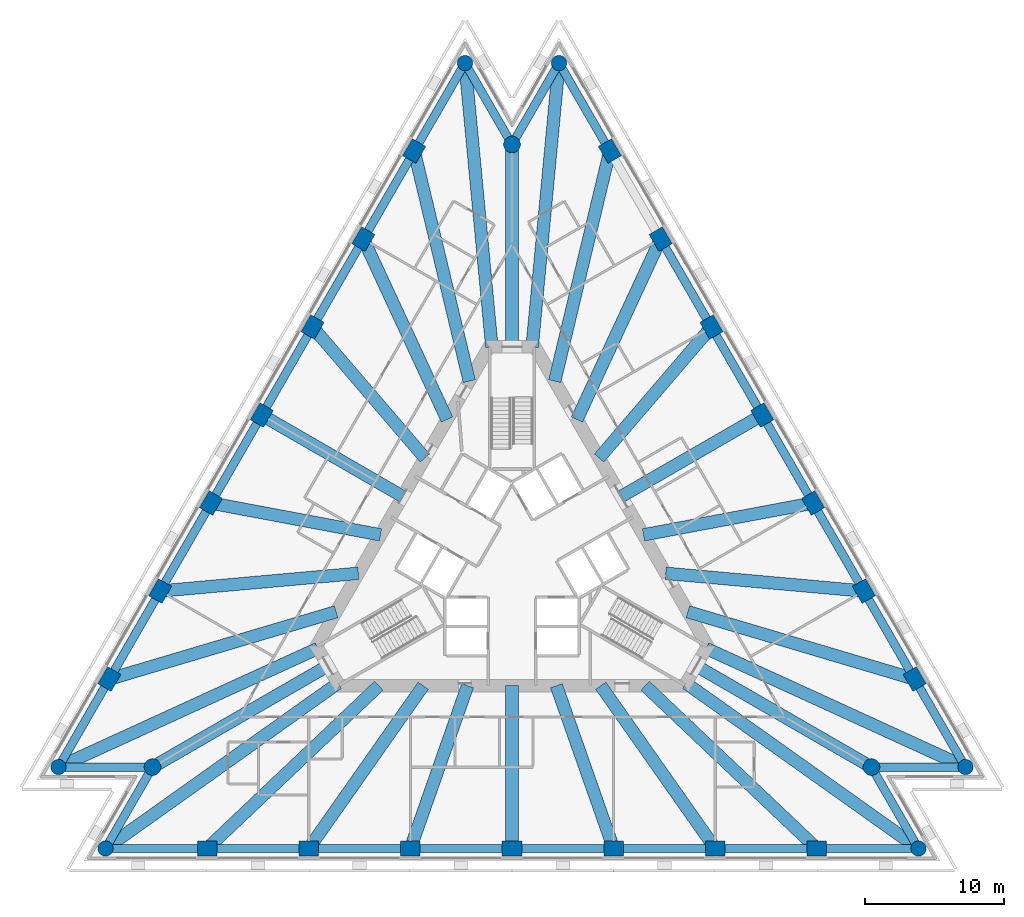
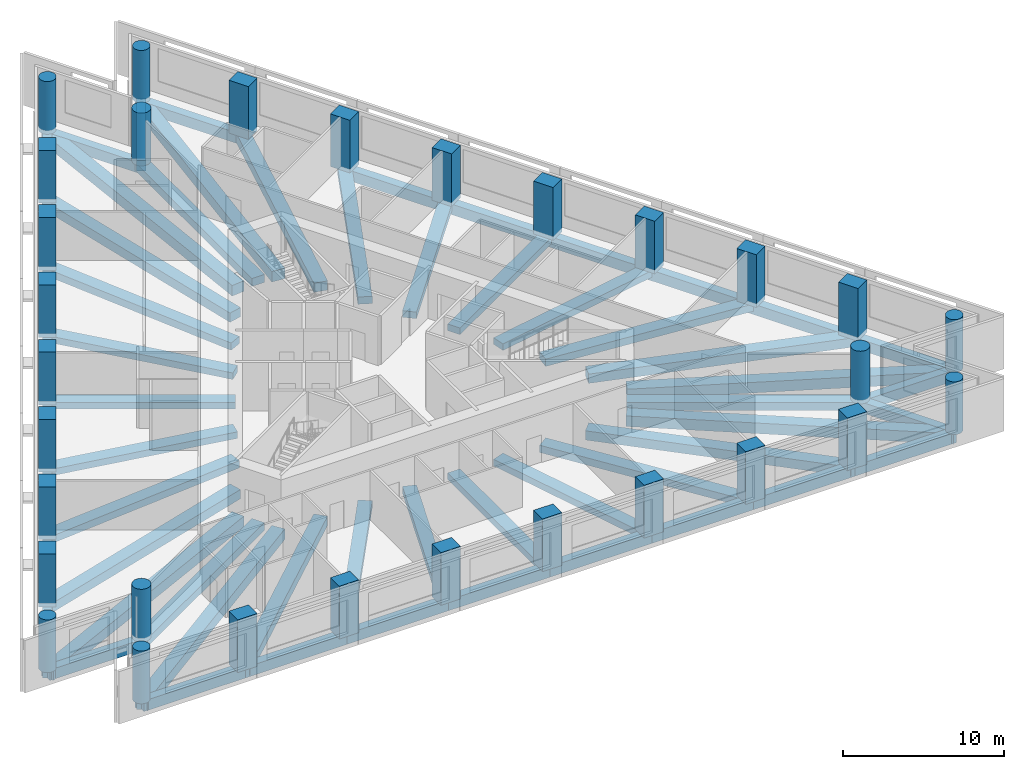
# One storey, part 1 of 11: 59 beams, 30 columns.
"""IFC4 building model written with IfcOpenShell, lengths in metres."""

from ifc_helpers import new_model, si_unit, direction, frame, origin, origin_2d, place, context, subcontext, project, spatial, rectangle, circle, extrude, material, material_profile, profile_set, type_object, element, save


model = new_model("IFC4")

# Units and contexts
model_context = context("Model", 3, precision=1e-05, world=origin(), true_north=direction((0.0, 1.0)))
body_context = subcontext(model_context, "Body", "Model", "MODEL_VIEW")
ifc_project = project(units=[si_unit("LENGTHUNIT", "METRE"), si_unit("AREAUNIT", "SQUARE_METRE"), si_unit("VOLUMEUNIT", "CUBIC_METRE"), si_unit("PLANEANGLEUNIT", "RADIAN"), si_unit("MASSUNIT", "GRAM", prefix="KILO")], contexts=[model_context])

# Site, building, storey
site_placement = place(None, origin())
site = spatial("IfcSite", under=ifc_project, at=site_placement, CompositionType="ELEMENT")
building_placement = place(site_placement, origin())
building = spatial("IfcBuilding", under=site, at=building_placement, Name="Triada Interchange Tower", CompositionType="ELEMENT")
storey_placement = place(building_placement, frame((0.0, 0.0, 71.300048828125)))
storey = spatial("IfcBuildingStorey", under=building, at=storey_placement, Name="L15", CompositionType="ELEMENT", Elevation=71.300048828125)

# Columns
ifc_material_1 = material(Name="Concrete C70/85", Category="concrete")
ifc_material_profile_1 = material_profile(ifc_material_1, rectangle(XDim=1.39990234375, YDim=1.10009765625, at=origin_2d()), Name="RC 1400x1100")
ifc_profile_set_1 = profile_set([ifc_material_profile_1], Name="Concrete C70/85")
column_type_1 = type_object("IfcColumnType", Name="Column A face RC 1400x1100", PredefinedType="COLUMN", material=ifc_profile_set_1)
for number, where, z_axis, x_axis, name in (
    (1, (-7.014892578125, 29.294921875, -0.300048828125), (0.0, 0.0, 1.0), (0.5, 0.866025403784, 0.0), "Column CA02 L15"),
    (2, (-10.657958984375, 22.98388671875, -0.300048828125), (0.0, 0.0, 1.0), (0.5, 0.866025403784, 0.0), "Column CA03 L15"),
    (3, (-14.302001953125, 16.672119140625, -0.300048828125), (0.0, 0.0, 1.0), (0.5, 0.866025403784, 0.0), "Column CA04 L15"),
    (4, (-17.946044921875, 10.361083984375, -0.300048828125), (0.0, 0.0, 1.0), (0.5, 0.866025403784, 0.0), "Column CA05 L15"),
    (5, (-21.590087890625, 4.050048828125, -0.300048828125), (0.0, 0.0, 1.0), (0.5, 0.866025403784, 0.0), "Column CA06 L15"),
    (6, (-25.23388671875, -2.260986328125, -0.300048828125), (0.0, 0.0, 1.0), (0.5, 0.866025403784, 0.0), "Column CA07 L15"),
    (7, (-28.876953125, -8.572998046875, -0.300048828125), (0.0, 0.0, 1.0), (0.5, 0.866025403784, 0.0), "Column CA08 L15"),
    (8, (-21.862060546875, -20.721923828125, -0.300048828125), (0.0, 0.0, 1.0), (1.0, 0.0, 0.0), "Column CA11 L15"),
    (9, (-14.574951171875, -20.721923828125, -0.300048828125), (0.0, 0.0, 1.0), (1.0, 0.0, 0.0), "Column CA12 L15"),
    (10, (-7.2880859375, -20.721923828125, -0.300048828125), (0.0, 0.0, 1.0), (1.0, 0.0, 0.0), "Column CA13 L15"),
    (11, (0.0, -20.721923828125, -0.300048828125), (0.0, 0.0, 1.0), (1.0, 0.0, 0.0), "Column CA14 L15"),
    (12, (7.2880859375, -20.721923828125, -0.300048828125), (0.0, 0.0, 1.0), (1.0, 0.0, 0.0), "Column CA15 L15"),
    (13, (14.574951171875, -20.721923828125, -0.300048828125), (0.0, 0.0, 1.0), (1.0, 0.0, 0.0), "Column CA16 L15"),
    (14, (21.862060546875, -20.721923828125, -0.300048828125), (0.0, 0.0, 1.0), (1.0, 0.0, 0.0), "Column CA17 L15"),
    (15, (28.876953125, -8.572998046875, -0.300048828125), (0.0, 0.0, 1.0), (-0.5, 0.866025403784, 0.0), "Column CA20 L15"),
    (16, (25.23388671875, -2.261962890625, -0.300048828125), (0.0, 0.0, 1.0), (-0.5, 0.866025403784, 0.0), "Column CA21 L15"),
    (17, (21.590087890625, 4.050048828125, -0.300048828125), (0.0, 0.0, 1.0), (-0.5, 0.866025403784, 0.0), "Column CA22 L15"),
    (18, (17.946044921875, 10.361083984375, -0.300048828125), (0.0, 0.0, 1.0), (-0.5, 0.866025403784, 0.0), "Column CA23 L15"),
    (19, (14.302001953125, 16.672119140625, -0.300048828125), (0.0, 0.0, 1.0), (-0.5, 0.866025403784, 0.0), "Column CA24 L15"),
    (20, (10.657958984375, 22.98388671875, -0.300048828125), (0.0, 0.0, 1.0), (-0.5, 0.866025403784, 0.0), "Column CA25 L15"),
    (21, (7.014892578125, 29.294921875, -0.300048828125), (0.0, 0.0, 1.0), (-0.5, 0.866025403784, 0.0), "Column CA26 L15"),
):
    element("IfcColumn", number, at=place(storey_placement, frame(where, z_axis=z_axis, x_axis=x_axis)), inside=storey, type_object=column_type_1, Name=name, PredefinedType="COLUMN", context=body_context, shape_type="SweptSolid", body=[
        extrude(rectangle(XDim=1.39990234375, YDim=1.10009765625, at=origin_2d()), origin(), (0.0, 0.0, 1.0), 4.0),
    ])
ifc_material_profile_2 = material_profile(ifc_material_1, circle(Radius=0.550048828125, at=origin_2d()), Name="RC D1100")
ifc_profile_set_2 = profile_set([ifc_material_profile_2], Name="Concrete C70/85")
column_type_2 = type_object("IfcColumnType", Name="End column A RC D1100", PredefinedType="COLUMN", material=ifc_profile_set_2)
for number, where, z_axis, x_axis, name in (
    (22, (-3.37109375, 35.60595703125, -0.300048828125), (0.0, 0.0, 1.0), (0.5, 0.866025403784, 0.0), "Column CA01 L15"),
    (23, (-32.52099609375, -14.884033203125, -0.300048828125), (0.0, 0.0, 1.0), (0.5, 0.866025403784, 0.0), "Column CA09 L15"),
    (24, (-29.14990234375, -20.721923828125, -0.300048828125), (0.0, 0.0, 1.0), (1.0, 0.0, 0.0), "Column CA10 L15"),
    (25, (29.14990234375, -20.721923828125, -0.300048828125), (0.0, 0.0, 1.0), (1.0, 0.0, 0.0), "Column CA18 L15"),
    (26, (32.52099609375, -14.884033203125, -0.300048828125), (0.0, 0.0, 1.0), (-0.5, 0.866025403784, 0.0), "Column CA19 L15"),
    (27, (3.37109375, 35.60595703125, -0.300048828125), (0.0, 0.0, 1.0), (-0.5, 0.866025403784, 0.0), "Column CA27 L15"),
):
    element("IfcColumn", number, at=place(storey_placement, frame(where, z_axis=z_axis, x_axis=x_axis)), inside=storey, type_object=column_type_2, Name=name, PredefinedType="COLUMN", context=body_context, shape_type="SweptSolid", body=[
        extrude(circle(Radius=0.550048828125, at=origin_2d()), origin(), (0.0, 0.0, 1.0), 4.0),
    ])
ifc_material_profile_3 = material_profile(ifc_material_1, circle(Radius=0.60009765625, at=origin_2d()), Name="RC D1200")
ifc_profile_set_3 = profile_set([ifc_material_profile_3], Name="Concrete C70/85")
column_type_3 = type_object("IfcColumnType", Name="Mega column A RC D1200", PredefinedType="COLUMN", material=ifc_profile_set_3)
for number, where, z_axis, x_axis, name in (
    (28, (0.0, 29.76806640625, -0.300048828125), (0.0, 0.0, 1.0), (1.0, 0.0, 0.0), "Column MA1 L15"),
    (29, (-25.780029296875, -14.884033203125, -0.300048828125), (0.0, 0.0, 1.0), (1.0, 0.0, 0.0), "Column MA2 L15"),
    (30, (25.780029296875, -14.884033203125, -0.300048828125), (0.0, 0.0, 1.0), (1.0, 0.0, 0.0), "Column MA3 L15"),
):
    element("IfcColumn", number, at=place(storey_placement, frame(where, z_axis=z_axis, x_axis=x_axis)), inside=storey, type_object=column_type_3, Name=name, PredefinedType="COLUMN", context=body_context, shape_type="SweptSolid", body=[
        extrude(circle(Radius=0.60009765625, at=origin_2d()), origin(), (0.0, 0.0, 1.0), 4.0),
    ])

# Beams
ifc_material_2 = material(Name="Concrete C50/60", Category="concrete")
ifc_material_profile_4 = material_profile(ifc_material_2, rectangle(XDim=0.89990234375, YDim=0.5, at=origin_2d()), Name="RC 900x500")
ifc_profile_set_4 = profile_set([ifc_material_profile_4], Name="Concrete C50/60")
beam_type_1 = type_object("IfcBeamType", Name="Radial band beam A RC 900x500", PredefinedType="BEAM", material=ifc_profile_set_4)
beam_1_placement = place(storey_placement, frame((-14.302001953125, 16.672119140625, -0.550048828125), z_axis=(0.651088692684, -0.759001656295, 0.0), x_axis=(0.759001656295, 0.651088692684, 0.0)))
element("IfcBeam", 31, at=beam_1_placement, inside=storey, type_object=beam_type_1, Name="Radial band beam BA04 L15", PredefinedType="BEAM", context=body_context, shape_type="SweptSolid", body=[
    extrude(rectangle(XDim=0.89990234375, YDim=0.5, at=origin_2d()), origin(), (0.0, 0.0, 1.0), 12.373046875),
])
beam_2_placement = place(storey_placement, frame((-17.946044921875, 10.361083984375, -0.550048828125), z_axis=(0.866016647085, -0.500015166741, 0.0), x_axis=(0.500015166741, 0.866016647085, 0.0)))
element("IfcBeam", 32, at=beam_2_placement, inside=storey, type_object=beam_type_1, Name="Radial band beam BA05 L15", PredefinedType="BEAM", context=body_context, shape_type="SweptSolid", body=[
    extrude(rectangle(XDim=0.89990234375, YDim=0.5, at=origin_2d()), origin(), (0.0, 0.0, 1.0), 11.672119140625),
])
beam_3_placement = place(storey_placement, frame((-21.590087890625, 4.050048828125, -0.550048828125), z_axis=(0.982860569516, -0.184350483839, 0.0), x_axis=(0.184350483839, 0.982860569516, 0.0)))
element("IfcBeam", 33, at=beam_3_placement, inside=storey, type_object=beam_type_1, Name="Radial band beam BA06 L15", PredefinedType="BEAM", context=body_context, shape_type="SweptSolid", body=[
    extrude(rectangle(XDim=0.89990234375, YDim=0.5, at=origin_2d()), origin(), (0.0, 0.0, 1.0), 12.373291015625),
])
beam_4_placement = place(storey_placement, frame((-7.2880859375, -20.721923828125, -0.550048828125), z_axis=(0.331777446319, 0.943357687261, 0.0), x_axis=(-0.943357687261, 0.331777446319, 0.0)))
element("IfcBeam", 34, at=beam_4_placement, inside=storey, type_object=beam_type_1, Name="Radial band beam BA14 L15", PredefinedType="BEAM", context=body_context, shape_type="SweptSolid", body=[
    extrude(rectangle(XDim=0.89990234375, YDim=0.5, at=origin_2d()), origin(), (0.0, 0.0, 1.0), 12.372802734375),
])
beam_5_placement = place(storey_placement, frame((0.0, -20.721923828125, -0.550048828125), z_axis=(0.0, 1.0, 0.0), x_axis=(-1.0, 0.0, 0.0)))
element("IfcBeam", 35, at=beam_5_placement, inside=storey, type_object=beam_type_1, Name="Radial band beam BA15 L15", PredefinedType="BEAM", context=body_context, shape_type="SweptSolid", body=[
    extrude(rectangle(XDim=0.89990234375, YDim=0.5, at=origin_2d()), origin(), (0.0, 0.0, 1.0), 11.671875),
])
beam_6_placement = place(storey_placement, frame((7.2880859375, -20.721923828125, -0.550048828125), z_axis=(-0.331777446319, 0.943357687261, 0.0), x_axis=(-0.943357687261, -0.331777446319, 0.0)))
element("IfcBeam", 36, at=beam_6_placement, inside=storey, type_object=beam_type_1, Name="Radial band beam BA16 L15", PredefinedType="BEAM", context=body_context, shape_type="SweptSolid", body=[
    extrude(rectangle(XDim=0.89990234375, YDim=0.5, at=origin_2d()), origin(), (0.0, 0.0, 1.0), 12.372802734375),
])
beam_7_placement = place(storey_placement, frame((21.590087890625, 4.050048828125, -0.550048828125), z_axis=(-0.982860569516, -0.184350483839, 0.0), x_axis=(0.184350483839, -0.982860569516, 0.0)))
element("IfcBeam", 37, at=beam_7_placement, inside=storey, type_object=beam_type_1, Name="Radial band beam BA24 L15", PredefinedType="BEAM", context=body_context, shape_type="SweptSolid", body=[
    extrude(rectangle(XDim=0.89990234375, YDim=0.5, at=origin_2d()), origin(), (0.0, 0.0, 1.0), 12.373291015625),
])
beam_8_placement = place(storey_placement, frame((17.946044921875, 10.361083984375, -0.550048828125), z_axis=(-0.866016647085, -0.500015166741, 0.0), x_axis=(0.500015166741, -0.866016647085, 0.0)))
element("IfcBeam", 38, at=beam_8_placement, inside=storey, type_object=beam_type_1, Name="Radial band beam BA25 L15", PredefinedType="BEAM", context=body_context, shape_type="SweptSolid", body=[
    extrude(rectangle(XDim=0.89990234375, YDim=0.5, at=origin_2d()), origin(), (0.0, 0.0, 1.0), 11.672119140625),
])
beam_9_placement = place(storey_placement, frame((14.302001953125, 16.672119140625, -0.550048828125), z_axis=(-0.651088692684, -0.759001656295, 0.0), x_axis=(0.759001656295, -0.651088692684, 0.0)))
element("IfcBeam", 39, at=beam_9_placement, inside=storey, type_object=beam_type_1, Name="Radial band beam BA26 L15", PredefinedType="BEAM", context=body_context, shape_type="SweptSolid", body=[
    extrude(rectangle(XDim=0.89990234375, YDim=0.5, at=origin_2d()), origin(), (0.0, 0.0, 1.0), 12.373046875),
])
ifc_material_profile_5 = material_profile(ifc_material_2, rectangle(XDim=0.89990234375, YDim=0.550048828125, at=origin_2d()), Name="RC 900x550")
ifc_profile_set_5 = profile_set([ifc_material_profile_5], Name="Concrete C50/60")
beam_type_2 = type_object("IfcBeamType", Name="Radial band beam A RC 900x550", PredefinedType="BEAM", material=ifc_profile_set_5)
beam_10_placement = place(storey_placement, frame((-10.657958984375, 22.98388671875, -0.574951171875), z_axis=(0.42067192096, -0.907212838818, 0.0), x_axis=(0.907212838818, 0.42067192096, 0.0)))
element("IfcBeam", 40, at=beam_10_placement, inside=storey, type_object=beam_type_2, Name="Radial band beam BA03 L15", PredefinedType="BEAM", context=body_context, shape_type="SweptSolid", body=[
    extrude(rectangle(XDim=0.89990234375, YDim=0.550048828125, at=origin_2d()), origin(), (0.0, 0.0, 1.0), 14.269775390625),
])
beam_11_placement = place(storey_placement, frame((-25.23388671875, -2.260986328125, -0.574951171875), z_axis=(0.99600766566, 0.089267743034, 0.0), x_axis=(-0.089267743034, 0.99600766566, 0.0)))
element("IfcBeam", 41, at=beam_11_placement, inside=storey, type_object=beam_type_2, Name="Radial band beam BA07 L15", PredefinedType="BEAM", context=body_context, shape_type="SweptSolid", body=[
    extrude(rectangle(XDim=0.89990234375, YDim=0.550048828125, at=origin_2d()), origin(), (0.0, 0.0, 1.0), 14.270751953125),
])
for number, where, z_axis, x_axis, name in (
    (42, (-14.574951171875, -20.721923828125, -0.574951171875), (0.575325573526, 0.817924498011, 0.0), (-0.817924498011, 0.575325573526, 0.0), "Radial band beam BA13 L15"),
    (43, (14.574951171875, -20.721923828125, -0.574951171875), (-0.575325573526, 0.817924498011, 0.0), (-0.817924498011, -0.575325573526, 0.0), "Radial band beam BA17 L15"),
):
    element("IfcBeam", number, at=place(storey_placement, frame(where, z_axis=z_axis, x_axis=x_axis)), inside=storey, type_object=beam_type_2, Name=name, PredefinedType="BEAM", context=body_context, shape_type="SweptSolid", body=[
        extrude(rectangle(XDim=0.89990234375, YDim=0.550048828125, at=origin_2d()), origin(), (0.0, 0.0, 1.0), 14.27001953125),
    ])
for number, where, z_axis, x_axis, name in (
    (44, (25.23388671875, -2.261962890625, -0.574951171875), (-0.996007120299, 0.089273827706, 0.0), (-0.089273827706, -0.996007120299, 0.0), "Radial band beam BA23 L15"),
    (45, (10.657958984375, 22.98388671875, -0.574951171875), (-0.42067192096, -0.907212838818, 0.0), (0.907212838818, -0.42067192096, 0.0), "Radial band beam BA27 L15"),
):
    element("IfcBeam", number, at=place(storey_placement, frame(where, z_axis=z_axis, x_axis=x_axis)), inside=storey, type_object=beam_type_2, Name=name, PredefinedType="BEAM", context=body_context, shape_type="SweptSolid", body=[
        extrude(rectangle(XDim=0.89990234375, YDim=0.550048828125, at=origin_2d()), origin(), (0.0, 0.0, 1.0), 14.269775390625),
    ])
ifc_material_profile_6 = material_profile(ifc_material_2, rectangle(XDim=0.89990234375, YDim=0.60009765625, at=origin_2d()), Name="RC 900x600")
ifc_profile_set_6 = profile_set([ifc_material_profile_6], Name="Concrete C50/60")
beam_type_3 = type_object("IfcBeamType", Name="Radial band beam A RC 900x600", PredefinedType="BEAM", material=ifc_profile_set_6)
for number, where, z_axis, x_axis, name in (
    (46, (-25.780029296875, -14.884033203125, -0.60009765625), (0.866025123534, 0.500000485408, 0.0), (-0.500000485408, 0.866025123534, 0.0), "Radial band beam BA10 L15"),
    (47, (25.780029296875, -14.884033203125, -0.60009765625), (-0.866025123534, 0.500000485408, 0.0), (-0.500000485408, -0.866025123534, 0.0), "Radial band beam BA20 L15"),
    (48, (0.0, 29.76806640625, -0.60009765625), (0.0, -1.0, 0.0), (1.0, 0.0, 0.0), "Radial band beam BA30 L15"),
):
    element("IfcBeam", number, at=place(storey_placement, frame(where, z_axis=z_axis, x_axis=x_axis)), inside=storey, type_object=beam_type_3, Name=name, PredefinedType="BEAM", context=body_context, shape_type="SweptSolid", body=[
        extrude(rectangle(XDim=0.89990234375, YDim=0.60009765625, at=origin_2d()), origin(), (0.0, 0.0, 1.0), 14.51806640625),
    ])
ifc_material_profile_7 = material_profile(ifc_material_2, rectangle(XDim=0.89990234375, YDim=0.699951171875, at=origin_2d()), Name="RC 900x700")
ifc_profile_set_7 = profile_set([ifc_material_profile_7], Name="Concrete C50/60")
beam_type_4 = type_object("IfcBeamType", Name="Radial band beam A RC 900x700", PredefinedType="BEAM", material=ifc_profile_set_7)
beam_12_placement = place(storey_placement, frame((-7.014892578125, 29.294921875, -0.650146484375), z_axis=(0.232895688339, -0.972501721517, 0.0), x_axis=(0.972501721517, 0.232895688339, 0.0)))
element("IfcBeam", 49, at=beam_12_placement, inside=storey, type_object=beam_type_4, Name="Radial band beam BA02 L15", PredefinedType="BEAM", context=body_context, shape_type="SweptSolid", body=[
    extrude(rectangle(XDim=0.89990234375, YDim=0.699951171875, at=origin_2d()), origin(), (0.0, 0.0, 1.0), 16.968505859375),
])
for number, where, z_axis, x_axis, name in (
    (50, (-28.876953125, -8.572998046875, -0.650146484375), (0.958639443618, 0.284623289875, 0.0), (-0.284623289875, 0.958639443618, 0.0), "Radial band beam BA08 L15"),
    (51, (-21.862060546875, -20.721923828125, -0.650146484375), (0.725775700998, 0.68793141507, 0.0), (-0.68793141507, 0.725775700998, 0.0), "Radial band beam BA12 L15"),
    (52, (21.862060546875, -20.721923828125, -0.650146484375), (-0.725775700998, 0.68793141507, 0.0), (-0.68793141507, -0.725775700998, 0.0), "Radial band beam BA18 L15"),
    (53, (28.876953125, -8.572998046875, -0.650146484375), (-0.958639443618, 0.284623289875, 0.0), (-0.284623289875, -0.958639443618, 0.0), "Radial band beam BA22 L15"),
):
    element("IfcBeam", number, at=place(storey_placement, frame(where, z_axis=z_axis, x_axis=x_axis)), inside=storey, type_object=beam_type_4, Name=name, PredefinedType="BEAM", context=body_context, shape_type="SweptSolid", body=[
        extrude(rectangle(XDim=0.89990234375, YDim=0.699951171875, at=origin_2d()), origin(), (0.0, 0.0, 1.0), 16.966552734375),
    ])
beam_13_placement = place(storey_placement, frame((7.014892578125, 29.294921875, -0.650146484375), z_axis=(-0.232895688339, -0.972501721517, 0.0), x_axis=(0.972501721517, -0.232895688339, 0.0)))
element("IfcBeam", 54, at=beam_13_placement, inside=storey, type_object=beam_type_4, Name="Radial band beam BA28 L15", PredefinedType="BEAM", context=body_context, shape_type="SweptSolid", body=[
    extrude(rectangle(XDim=0.89990234375, YDim=0.699951171875, at=origin_2d()), origin(), (0.0, 0.0, 1.0), 16.968505859375),
])
ifc_material_profile_8 = material_profile(ifc_material_2, rectangle(XDim=0.89990234375, YDim=0.800048828125, at=origin_2d()), Name="RC 900x800")
ifc_profile_set_8 = profile_set([ifc_material_profile_8], Name="Concrete C50/60")
beam_type_5 = type_object("IfcBeamType", Name="Radial band beam A RC 900x800", PredefinedType="BEAM", material=ifc_profile_set_8)
beam_14_placement = place(storey_placement, frame((-3.37109375, 35.60595703125, -0.699951171875), z_axis=(0.094243917314, -0.995549136934, 0.0), x_axis=(0.995549136934, 0.094243917314, 0.0)))
element("IfcBeam", 55, at=beam_14_placement, inside=storey, type_object=beam_type_5, Name="Radial band beam BA01 L15", PredefinedType="BEAM", context=body_context, shape_type="SweptSolid", body=[
    extrude(rectangle(XDim=0.89990234375, YDim=0.800048828125, at=origin_2d()), origin(), (0.0, 0.0, 1.0), 20.447021484375),
])
beam_15_placement = place(storey_placement, frame((-32.52099609375, -14.884033203125, -0.699951171875), z_axis=(0.909292889271, 0.416156751143, 0.0), x_axis=(-0.416156751143, 0.909292889271, 0.0)))
element("IfcBeam", 56, at=beam_15_placement, inside=storey, type_object=beam_type_5, Name="Radial band beam BA09 L15", PredefinedType="BEAM", context=body_context, shape_type="SweptSolid", body=[
    extrude(rectangle(XDim=0.89990234375, YDim=0.800048828125, at=origin_2d()), origin(), (0.0, 0.0, 1.0), 20.44677734375),
])
for number, where, z_axis, x_axis, name in (
    (57, (-29.14990234375, -20.721923828125, -0.699951171875), (0.815038401501, 0.57940694169, 0.0), (-0.57940694169, 0.815038401501, 0.0), "Radial band beam BA11 L15"),
    (58, (29.14990234375, -20.721923828125, -0.699951171875), (-0.815038401501, 0.57940694169, 0.0), (-0.57940694169, -0.815038401501, 0.0), "Radial band beam BA19 L15"),
):
    element("IfcBeam", number, at=place(storey_placement, frame(where, z_axis=z_axis, x_axis=x_axis)), inside=storey, type_object=beam_type_5, Name=name, PredefinedType="BEAM", context=body_context, shape_type="SweptSolid", body=[
        extrude(rectangle(XDim=0.89990234375, YDim=0.800048828125, at=origin_2d()), origin(), (0.0, 0.0, 1.0), 20.446533203125),
    ])
beam_16_placement = place(storey_placement, frame((32.52099609375, -14.884033203125, -0.699951171875), z_axis=(-0.909292889271, 0.416156751143, 0.0), x_axis=(-0.416156751143, -0.909292889271, 0.0)))
element("IfcBeam", 59, at=beam_16_placement, inside=storey, type_object=beam_type_5, Name="Radial band beam BA21 L15", PredefinedType="BEAM", context=body_context, shape_type="SweptSolid", body=[
    extrude(rectangle(XDim=0.89990234375, YDim=0.800048828125, at=origin_2d()), origin(), (0.0, 0.0, 1.0), 20.44677734375),
])
beam_17_placement = place(storey_placement, frame((3.37109375, 35.60595703125, -0.699951171875), z_axis=(-0.094243917314, -0.995549136934, 0.0), x_axis=(0.995549136934, -0.094243917314, 0.0)))
element("IfcBeam", 60, at=beam_17_placement, inside=storey, type_object=beam_type_5, Name="Radial band beam BA29 L15", PredefinedType="BEAM", context=body_context, shape_type="SweptSolid", body=[
    extrude(rectangle(XDim=0.89990234375, YDim=0.800048828125, at=origin_2d()), origin(), (0.0, 0.0, 1.0), 20.447021484375),
])
ifc_material_profile_9 = material_profile(ifc_material_2, rectangle(XDim=0.60009765625, YDim=0.800048828125, at=origin_2d()), Name="RC 600x800")
ifc_profile_set_9 = profile_set([ifc_material_profile_9], Name="Concrete C50/60")
beam_type_6 = type_object("IfcBeamType", Name="Spandrel beam A RC 600x800", PredefinedType="BEAM", material=ifc_profile_set_9)
beam_18_placement = place(storey_placement, frame((-3.37109375, 35.60595703125, -0.699951171875), z_axis=(-0.500012451049, -0.866018215049, 0.0), x_axis=(0.866018215049, -0.500012451049, 0.0)))
element("IfcBeam", 61, at=beam_18_placement, inside=storey, type_object=beam_type_6, Name="Spandrel beam EA01 L15", PredefinedType="BEAM", context=body_context, shape_type="SweptSolid", body=[
    extrude(rectangle(XDim=0.60009765625, YDim=0.800048828125, at=origin_2d()), origin(), (0.0, 0.0, 1.0), 7.287353515625),
])
beam_19_placement = place(storey_placement, frame((-7.014892578125, 29.294921875, -0.699951171875), z_axis=(-0.499937067856, -0.866061734626, 0.0), x_axis=(0.866061734626, -0.499937067856, 0.0)))
element("IfcBeam", 62, at=beam_19_placement, inside=storey, type_object=beam_type_6, Name="Spandrel beam EA02 L15", PredefinedType="BEAM", context=body_context, shape_type="SweptSolid", body=[
    extrude(rectangle(XDim=0.60009765625, YDim=0.800048828125, at=origin_2d()), origin(), (0.0, 0.0, 1.0), 7.287109375),
])
beam_20_placement = place(storey_placement, frame((-10.657958984375, 22.98388671875, -0.699951171875), z_axis=(-0.499994058011, -0.866028834366, 0.0), x_axis=(0.866028834366, -0.499994058011, 0.0)))
element("IfcBeam", 63, at=beam_20_placement, inside=storey, type_object=beam_type_6, Name="Spandrel beam EA03 L15", PredefinedType="BEAM", context=body_context, shape_type="SweptSolid", body=[
    extrude(rectangle(XDim=0.60009765625, YDim=0.800048828125, at=origin_2d()), origin(), (0.0, 0.0, 1.0), 7.2880859375),
])
for number, where, z_axis, x_axis, name in (
    (64, (-14.302001953125, 16.672119140625, -0.699951171875), (-0.500037576254, -0.866003708037, 0.0), (0.866003708037, -0.500037576254, 0.0), "Spandrel beam EA04 L15"),
    (65, (-17.946044921875, 10.361083984375, -0.699951171875), (-0.500037576254, -0.866003708037, 0.0), (0.866003708037, -0.500037576254, 0.0), "Spandrel beam EA05 L15"),
):
    element("IfcBeam", number, at=place(storey_placement, frame(where, z_axis=z_axis, x_axis=x_axis)), inside=storey, type_object=beam_type_6, Name=name, PredefinedType="BEAM", context=body_context, shape_type="SweptSolid", body=[
        extrude(rectangle(XDim=0.60009765625, YDim=0.800048828125, at=origin_2d()), origin(), (0.0, 0.0, 1.0), 7.28759765625),
    ])
beam_21_placement = place(storey_placement, frame((-21.590087890625, 4.050048828125, -0.699951171875), z_axis=(-0.500012451049, -0.866018215049, 0.0), x_axis=(0.866018215049, -0.500012451049, 0.0)))
element("IfcBeam", 66, at=beam_21_placement, inside=storey, type_object=beam_type_6, Name="Spandrel beam EA06 L15", PredefinedType="BEAM", context=body_context, shape_type="SweptSolid", body=[
    extrude(rectangle(XDim=0.60009765625, YDim=0.800048828125, at=origin_2d()), origin(), (0.0, 0.0, 1.0), 7.287353515625),
])
beam_22_placement = place(storey_placement, frame((-25.23388671875, -2.260986328125, -0.699951171875), z_axis=(-0.499879048825, -0.866095223717, 0.0), x_axis=(0.866095223717, -0.499879048825, 0.0)))
element("IfcBeam", 67, at=beam_22_placement, inside=storey, type_object=beam_type_6, Name="Spandrel beam EA07 L15", PredefinedType="BEAM", context=body_context, shape_type="SweptSolid", body=[
    extrude(rectangle(XDim=0.60009765625, YDim=0.800048828125, at=origin_2d()), origin(), (0.0, 0.0, 1.0), 7.287841796875),
])
beam_23_placement = place(storey_placement, frame((-28.876953125, -8.572998046875, -0.699951171875), z_axis=(-0.500037576254, -0.866003708037, 0.0), x_axis=(0.866003708037, -0.500037576254, 0.0)))
element("IfcBeam", 68, at=beam_23_placement, inside=storey, type_object=beam_type_6, Name="Spandrel beam EA08 L15", PredefinedType="BEAM", context=body_context, shape_type="SweptSolid", body=[
    extrude(rectangle(XDim=0.60009765625, YDim=0.800048828125, at=origin_2d()), origin(), (0.0, 0.0, 1.0), 7.28759765625),
])
beam_24_placement = place(storey_placement, frame((-32.52099609375, -14.884033203125, -0.699951171875), z_axis=(1.0, 0.0, 0.0), x_axis=(0.0, 1.0, 0.0)))
element("IfcBeam", 69, at=beam_24_placement, inside=storey, type_object=beam_type_6, Name="Spandrel beam EA09 L15", PredefinedType="BEAM", context=body_context, shape_type="SweptSolid", body=[
    extrude(rectangle(XDim=0.60009765625, YDim=0.800048828125, at=origin_2d()), origin(), (0.0, 0.0, 1.0), 6.740966796875),
])
beam_25_placement = place(storey_placement, frame((-25.780029296875, -14.884033203125, -0.699951171875), z_axis=(-0.499929381361, -0.866066171636, 0.0), x_axis=(0.866066171636, -0.499929381361, 0.0)))
element("IfcBeam", 70, at=beam_25_placement, inside=storey, type_object=beam_type_6, Name="Spandrel beam EA10 L15", PredefinedType="BEAM", context=body_context, shape_type="SweptSolid", body=[
    extrude(rectangle(XDim=0.60009765625, YDim=0.800048828125, at=origin_2d()), origin(), (0.0, 0.0, 1.0), 6.74072265625),
])
beam_26_placement = place(storey_placement, frame((-29.14990234375, -20.721923828125, -0.699951171875), z_axis=(1.0, 0.0, 0.0), x_axis=(0.0, 1.0, 0.0)))
element("IfcBeam", 71, at=beam_26_placement, inside=storey, type_object=beam_type_6, Name="Spandrel beam EA11 L15", PredefinedType="BEAM", context=body_context, shape_type="SweptSolid", body=[
    extrude(rectangle(XDim=0.60009765625, YDim=0.800048828125, at=origin_2d()), origin(), (0.0, 0.0, 1.0), 7.287841796875),
])
beam_27_placement = place(storey_placement, frame((-21.862060546875, -20.721923828125, -0.699951171875), z_axis=(1.0, 0.0, 0.0), x_axis=(0.0, 1.0, 0.0)))
element("IfcBeam", 72, at=beam_27_placement, inside=storey, type_object=beam_type_6, Name="Spandrel beam EA12 L15", PredefinedType="BEAM", context=body_context, shape_type="SweptSolid", body=[
    extrude(rectangle(XDim=0.60009765625, YDim=0.800048828125, at=origin_2d()), origin(), (0.0, 0.0, 1.0), 7.287109375),
])
beam_28_placement = place(storey_placement, frame((-14.574951171875, -20.721923828125, -0.699951171875), z_axis=(1.0, 0.0, 0.0), x_axis=(0.0, 1.0, 0.0)))
element("IfcBeam", 73, at=beam_28_placement, inside=storey, type_object=beam_type_6, Name="Spandrel beam EA13 L15", PredefinedType="BEAM", context=body_context, shape_type="SweptSolid", body=[
    extrude(rectangle(XDim=0.60009765625, YDim=0.800048828125, at=origin_2d()), origin(), (0.0, 0.0, 1.0), 7.286865234375),
])
for number, where, z_axis, x_axis, name in (
    (74, (-7.2880859375, -20.721923828125, -0.699951171875), (1.0, 0.0, 0.0), (0.0, 1.0, 0.0), "Spandrel beam EA14 L15"),
    (75, (0.0, -20.721923828125, -0.699951171875), (1.0, 0.0, 0.0), (0.0, 1.0, 0.0), "Spandrel beam EA15 L15"),
):
    element("IfcBeam", number, at=place(storey_placement, frame(where, z_axis=z_axis, x_axis=x_axis)), inside=storey, type_object=beam_type_6, Name=name, PredefinedType="BEAM", context=body_context, shape_type="SweptSolid", body=[
        extrude(rectangle(XDim=0.60009765625, YDim=0.800048828125, at=origin_2d()), origin(), (0.0, 0.0, 1.0), 7.2880859375),
    ])
beam_29_placement = place(storey_placement, frame((7.2880859375, -20.721923828125, -0.699951171875), z_axis=(1.0, 0.0, 0.0), x_axis=(0.0, 1.0, 0.0)))
element("IfcBeam", 76, at=beam_29_placement, inside=storey, type_object=beam_type_6, Name="Spandrel beam EA16 L15", PredefinedType="BEAM", context=body_context, shape_type="SweptSolid", body=[
    extrude(rectangle(XDim=0.60009765625, YDim=0.800048828125, at=origin_2d()), origin(), (0.0, 0.0, 1.0), 7.286865234375),
])
beam_30_placement = place(storey_placement, frame((14.574951171875, -20.721923828125, -0.699951171875), z_axis=(1.0, 0.0, 0.0), x_axis=(0.0, 1.0, 0.0)))
element("IfcBeam", 77, at=beam_30_placement, inside=storey, type_object=beam_type_6, Name="Spandrel beam EA17 L15", PredefinedType="BEAM", context=body_context, shape_type="SweptSolid", body=[
    extrude(rectangle(XDim=0.60009765625, YDim=0.800048828125, at=origin_2d()), origin(), (0.0, 0.0, 1.0), 7.287109375),
])
beam_31_placement = place(storey_placement, frame((21.862060546875, -20.721923828125, -0.699951171875), z_axis=(1.0, 0.0, 0.0), x_axis=(0.0, 1.0, 0.0)))
element("IfcBeam", 78, at=beam_31_placement, inside=storey, type_object=beam_type_6, Name="Spandrel beam EA18 L15", PredefinedType="BEAM", context=body_context, shape_type="SweptSolid", body=[
    extrude(rectangle(XDim=0.60009765625, YDim=0.800048828125, at=origin_2d()), origin(), (0.0, 0.0, 1.0), 7.287841796875),
])
beam_32_placement = place(storey_placement, frame((29.14990234375, -20.721923828125, -0.699951171875), z_axis=(-0.499929381361, 0.866066171636, 0.0), x_axis=(-0.866066171636, -0.499929381361, 0.0)))
element("IfcBeam", 79, at=beam_32_placement, inside=storey, type_object=beam_type_6, Name="Spandrel beam EA19 L15", PredefinedType="BEAM", context=body_context, shape_type="SweptSolid", body=[
    extrude(rectangle(XDim=0.60009765625, YDim=0.800048828125, at=origin_2d()), origin(), (0.0, 0.0, 1.0), 6.74072265625),
])
beam_33_placement = place(storey_placement, frame((25.780029296875, -14.884033203125, -0.699951171875), z_axis=(1.0, 0.0, 0.0), x_axis=(0.0, 1.0, 0.0)))
element("IfcBeam", 80, at=beam_33_placement, inside=storey, type_object=beam_type_6, Name="Spandrel beam EA20 L15", PredefinedType="BEAM", context=body_context, shape_type="SweptSolid", body=[
    extrude(rectangle(XDim=0.60009765625, YDim=0.800048828125, at=origin_2d()), origin(), (0.0, 0.0, 1.0), 6.740966796875),
])
beam_34_placement = place(storey_placement, frame((32.52099609375, -14.884033203125, -0.699951171875), z_axis=(-0.500037576254, 0.866003708037, 0.0), x_axis=(-0.866003708037, -0.500037576254, 0.0)))
element("IfcBeam", 81, at=beam_34_placement, inside=storey, type_object=beam_type_6, Name="Spandrel beam EA21 L15", PredefinedType="BEAM", context=body_context, shape_type="SweptSolid", body=[
    extrude(rectangle(XDim=0.60009765625, YDim=0.800048828125, at=origin_2d()), origin(), (0.0, 0.0, 1.0), 7.28759765625),
])
beam_35_placement = place(storey_placement, frame((28.876953125, -8.572998046875, -0.699951171875), z_axis=(-0.499937067856, 0.866061734626, 0.0), x_axis=(-0.866061734626, -0.499937067856, 0.0)))
element("IfcBeam", 82, at=beam_35_placement, inside=storey, type_object=beam_type_6, Name="Spandrel beam EA22 L15", PredefinedType="BEAM", context=body_context, shape_type="SweptSolid", body=[
    extrude(rectangle(XDim=0.60009765625, YDim=0.800048828125, at=origin_2d()), origin(), (0.0, 0.0, 1.0), 7.287109375),
])
beam_36_placement = place(storey_placement, frame((25.23388671875, -2.261962890625, -0.699951171875), z_axis=(-0.499954429099, 0.866051712558, 0.0), x_axis=(-0.866051712558, -0.499954429099, 0.0)))
element("IfcBeam", 83, at=beam_36_placement, inside=storey, type_object=beam_type_6, Name="Spandrel beam EA23 L15", PredefinedType="BEAM", context=body_context, shape_type="SweptSolid", body=[
    extrude(rectangle(XDim=0.60009765625, YDim=0.800048828125, at=origin_2d()), origin(), (0.0, 0.0, 1.0), 7.288330078125),
])
for number, where, z_axis, x_axis, name in (
    (84, (21.590087890625, 4.050048828125, -0.699951171875), (-0.500037576254, 0.866003708037, 0.0), (-0.866003708037, -0.500037576254, 0.0), "Spandrel beam EA24 L15"),
    (85, (17.946044921875, 10.361083984375, -0.699951171875), (-0.500037576254, 0.866003708037, 0.0), (-0.866003708037, -0.500037576254, 0.0), "Spandrel beam EA25 L15"),
):
    element("IfcBeam", number, at=place(storey_placement, frame(where, z_axis=z_axis, x_axis=x_axis)), inside=storey, type_object=beam_type_6, Name=name, PredefinedType="BEAM", context=body_context, shape_type="SweptSolid", body=[
        extrude(rectangle(XDim=0.60009765625, YDim=0.800048828125, at=origin_2d()), origin(), (0.0, 0.0, 1.0), 7.28759765625),
    ])
beam_37_placement = place(storey_placement, frame((14.302001953125, 16.672119140625, -0.699951171875), z_axis=(-0.499994058011, 0.866028834366, 0.0), x_axis=(-0.866028834366, -0.499994058011, 0.0)))
element("IfcBeam", 86, at=beam_37_placement, inside=storey, type_object=beam_type_6, Name="Spandrel beam EA26 L15", PredefinedType="BEAM", context=body_context, shape_type="SweptSolid", body=[
    extrude(rectangle(XDim=0.60009765625, YDim=0.800048828125, at=origin_2d()), origin(), (0.0, 0.0, 1.0), 7.2880859375),
])
beam_38_placement = place(storey_placement, frame((7.014892578125, 29.294921875, -0.699951171875), z_axis=(-0.500012451049, 0.866018215049, 0.0), x_axis=(-0.866018215049, -0.500012451049, 0.0)))
element("IfcBeam", 87, at=beam_38_placement, inside=storey, type_object=beam_type_6, Name="Spandrel beam EA28 L15", PredefinedType="BEAM", context=body_context, shape_type="SweptSolid", body=[
    extrude(rectangle(XDim=0.60009765625, YDim=0.800048828125, at=origin_2d()), origin(), (0.0, 0.0, 1.0), 7.287353515625),
])
for number, where, z_axis, x_axis, name in (
    (88, (3.37109375, 35.60595703125, -0.699951171875), (-0.500065196552, -0.865987759266, 0.0), (0.865987759266, -0.500065196552, 0.0), "Spandrel beam EA29 L15"),
    (89, (0.0, 29.76806640625, -0.699951171875), (-0.500065196552, 0.865987759266, 0.0), (-0.865987759266, -0.500065196552, 0.0), "Spandrel beam EA30 L15"),
):
    element("IfcBeam", number, at=place(storey_placement, frame(where, z_axis=z_axis, x_axis=x_axis)), inside=storey, type_object=beam_type_6, Name=name, PredefinedType="BEAM", context=body_context, shape_type="SweptSolid", body=[
        extrude(rectangle(XDim=0.60009765625, YDim=0.800048828125, at=origin_2d()), origin(), (0.0, 0.0, 1.0), 6.7412109375),
    ])

save(model, "model.ifc")
